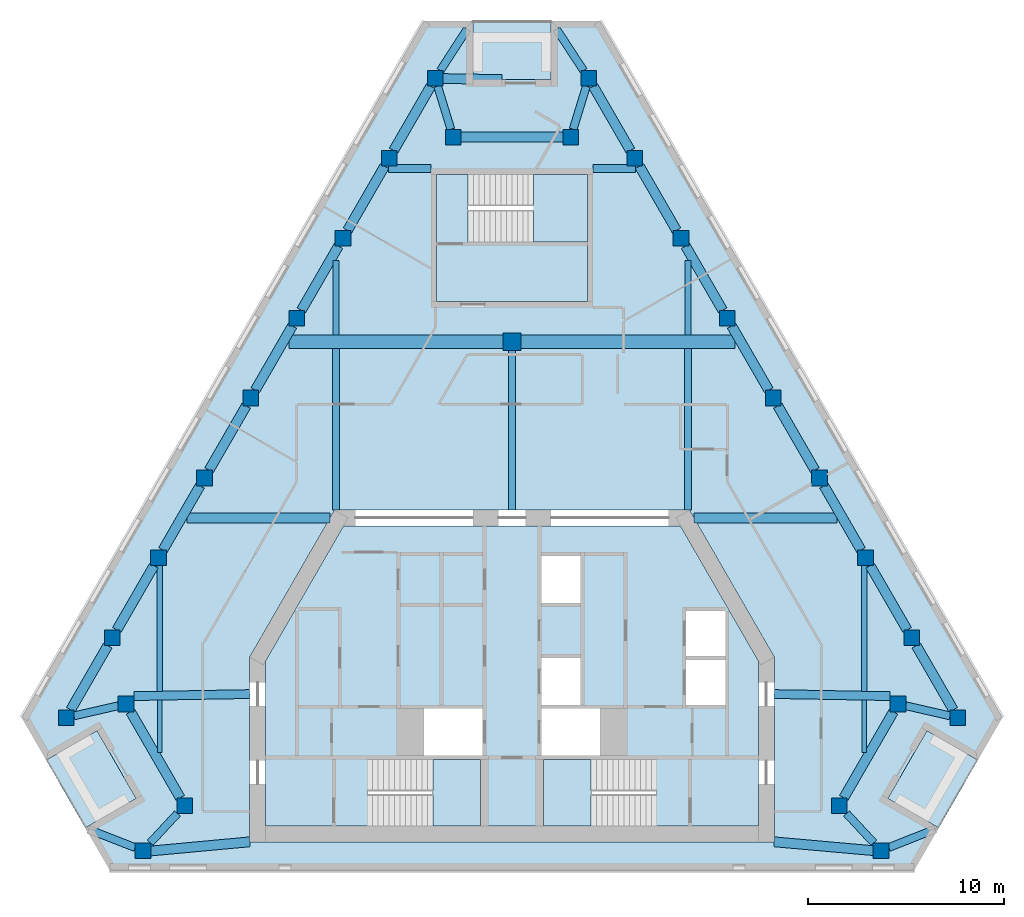
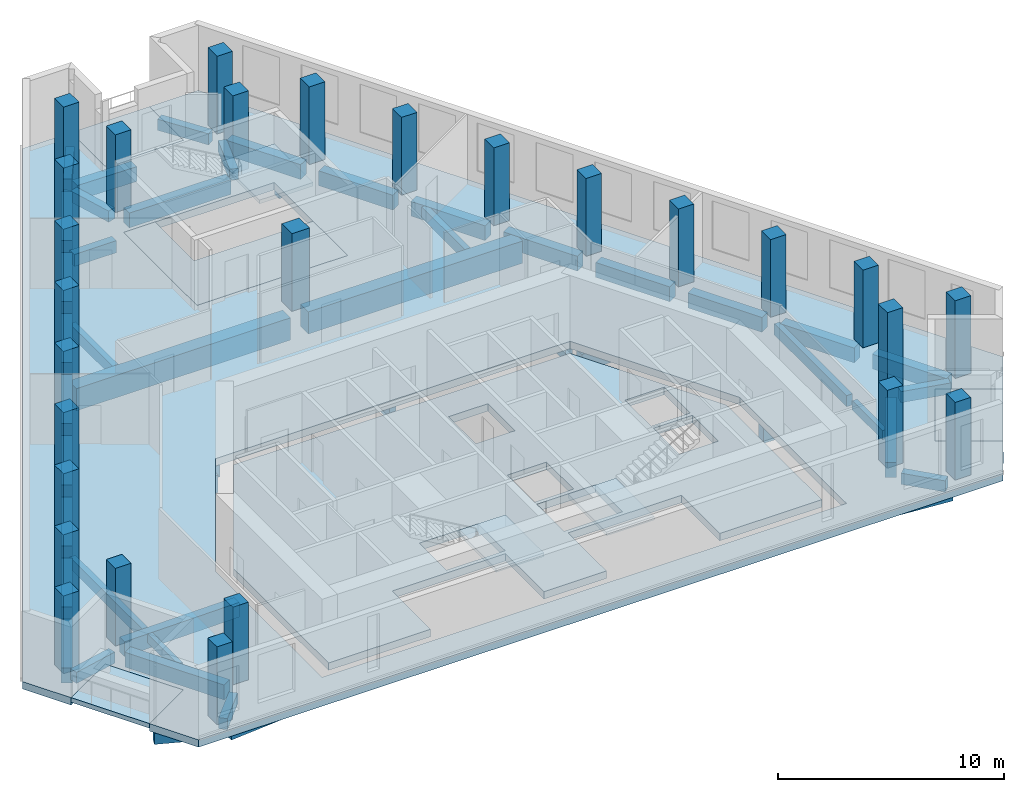
# One storey, part 1 of 8: 49 beams, 27 columns, 9 slabs, 3 elements without a shape of their own.
"""IFC4 building model written with IfcOpenShell, lengths in metres."""

from ifc_helpers import new_model, si_unit, direction, frame, origin, origin_2d, place, context, subcontext, project, spatial, polyline, rectangle, outline, extrude, material, layer, layer_set, material_profile, profile_set, type_object, element, aggregate, save


model = new_model("IFC4")

# Units and contexts
model_context = context("Model", 3, precision=1e-05, world=origin(), true_north=direction((0.0, 1.0)))
body_context = subcontext(model_context, "Body", "Model", "MODEL_VIEW")
ifc_project = project(units=[si_unit("LENGTHUNIT", "METRE"), si_unit("AREAUNIT", "SQUARE_METRE"), si_unit("VOLUMEUNIT", "CUBIC_METRE"), si_unit("PLANEANGLEUNIT", "RADIAN"), si_unit("MASSUNIT", "GRAM", prefix="KILO")], contexts=[model_context])

# Site, building, storey
site_placement = place(None, origin())
site = spatial("IfcSite", under=ifc_project, at=site_placement, CompositionType="ELEMENT")
building_placement = place(site_placement, origin())
building = spatial("IfcBuilding", under=site, at=building_placement, Name="Fogline Exchange Tower", CompositionType="ELEMENT")
storey_placement = place(building_placement, frame((0.0, 0.0, 296.10009765625)))
storey = spatial("IfcBuildingStorey", under=building, at=storey_placement, Name="L67", CompositionType="ELEMENT", Elevation=296.10009765625)

# Columns
ifc_material_1 = material(Name="Concrete C60", Category="concrete")
ifc_material_profile_1 = material_profile(ifc_material_1, rectangle(XDim=0.89990234375, YDim=0.89990234375, at=origin_2d()), Name="RC 900x900")
ifc_profile_set_1 = profile_set([ifc_material_profile_1], Name="Concrete C60")
column_type_1 = type_object("IfcColumnType", Name="C06", PredefinedType="COLUMN", material=ifc_profile_set_1)
column_placement = place(storey_placement, frame((0.0, 27.0, 0.0), z_axis=(0.0, 0.0, 1.0), x_axis=(1.0, 0.0, 0.0)))
element("IfcColumn", 1, at=column_placement, inside=storey, type_object=column_type_1, Name="IC-0-27", PredefinedType="COLUMN", context=body_context, shape_type="SweptSolid", body=[
    extrude(rectangle(XDim=0.89990234375, YDim=0.89990234375, at=origin_2d()), origin(), (0.0, 0.0, 1.0), 4.199951171875),
])
ifc_material_profile_2 = material_profile(ifc_material_1, rectangle(XDim=0.800048828125, YDim=0.800048828125, at=origin_2d()), Name="RC 800x800")
ifc_profile_set_2 = profile_set([ifc_material_profile_2], Name="Concrete C60")
column_type_2 = type_object("IfcColumnType", Name="C07", PredefinedType="COLUMN", material=ifc_profile_set_2)
for number, where, z_axis, x_axis, name in (
    (2, (-22.7802734375, 7.794189453125, 0.0), (0.0, 0.0, 1.0), (1.0, 0.0, 0.0), "SW-a"),
    (3, (-19.720947265625, 8.4951171875, 0.0), (0.0, 0.0, 1.0), (1.0, 0.0, 0.0), "SW-p4"),
    (4, (-16.720947265625, 3.299072265625, 0.0), (0.0, 0.0, 1.0), (1.0, 0.0, 0.0), "SW-p3"),
    (5, (-18.857666015625, 1.0, 0.0), (0.0, 0.0, 1.0), (1.0, 0.0, 0.0), "SW-b"),
    (6, (18.857666015625, 1.0, 0.0), (0.0, 0.0, 1.0), (1.0, 0.0, 0.0), "SE-a"),
    (7, (16.720947265625, 3.299072265625, 0.0), (0.0, 0.0, 1.0), (1.0, 0.0, 0.0), "SE-p4"),
    (8, (19.720947265625, 8.4951171875, 0.0), (0.0, 0.0, 1.0), (1.0, 0.0, 0.0), "SE-p3"),
    (9, (22.7802734375, 7.794189453125, 0.0), (0.0, 0.0, 1.0), (1.0, 0.0, 0.0), "SE-b"),
    (10, (20.423095703125, 11.876953125, 0.0), (0.0, 0.0, 1.0), (1.0, 0.0, 0.0), "E1"),
    (11, (18.06591796875, 15.959716796875, 0.0), (0.0, 0.0, 1.0), (1.0, 0.0, 0.0), "E2"),
    (12, (15.708740234375, 20.04248046875, 0.0), (0.0, 0.0, 1.0), (1.0, 0.0, 0.0), "E3"),
    (13, (13.3515625, 24.12548828125, 0.0), (0.0, 0.0, 1.0), (1.0, 0.0, 0.0), "E4"),
    (14, (10.994384765625, 28.208251953125, 0.0), (0.0, 0.0, 1.0), (1.0, 0.0, 0.0), "E5"),
    (15, (8.63720703125, 32.291015625, 0.0), (0.0, 0.0, 1.0), (1.0, 0.0, 0.0), "E6"),
    (16, (6.27978515625, 36.373779296875, 0.0), (0.0, 0.0, 1.0), (1.0, 0.0, 0.0), "E7"),
    (17, (3.922607421875, 40.456787109375, 0.0), (0.0, 0.0, 1.0), (1.0, 0.0, 0.0), "N-a"),
    (18, (3.0, 37.456787109375, 0.0), (0.0, 0.0, 1.0), (1.0, 0.0, 0.0), "N-p4"),
    (19, (-3.0, 37.456787109375, 0.0), (0.0, 0.0, 1.0), (1.0, 0.0, 0.0), "N-p3"),
    (20, (-3.922607421875, 40.456787109375, 0.0), (0.0, 0.0, 1.0), (1.0, 0.0, 0.0), "N-b"),
    (21, (-6.27978515625, 36.373779296875, 0.0), (0.0, 0.0, 1.0), (1.0, 0.0, 0.0), "W1"),
    (22, (-8.63720703125, 32.291015625, 0.0), (0.0, 0.0, 1.0), (1.0, 0.0, 0.0), "W2"),
    (23, (-10.994384765625, 28.208251953125, 0.0), (0.0, 0.0, 1.0), (1.0, 0.0, 0.0), "W3"),
    (24, (-13.3515625, 24.12548828125, 0.0), (0.0, 0.0, 1.0), (1.0, 0.0, 0.0), "W4"),
    (25, (-15.708740234375, 20.04248046875, 0.0), (0.0, 0.0, 1.0), (1.0, 0.0, 0.0), "W5"),
    (26, (-18.06591796875, 15.959716796875, 0.0), (0.0, 0.0, 1.0), (1.0, 0.0, 0.0), "W6"),
    (27, (-20.423095703125, 11.876953125, 0.0), (0.0, 0.0, 1.0), (1.0, 0.0, 0.0), "W7"),
):
    element("IfcColumn", number, at=place(storey_placement, frame(where, z_axis=z_axis, x_axis=x_axis)), inside=storey, type_object=column_type_2, Name=name, PredefinedType="COLUMN", context=body_context, shape_type="SweptSolid", body=[
        extrude(rectangle(XDim=0.800048828125, YDim=0.800048828125, at=origin_2d()), origin(), (0.0, 0.0, 1.0), 4.199951171875),
    ])

# Beams
ifc_material_2 = material(Name="Concrete C40", Category="concrete")
ifc_material_profile_3 = material_profile(ifc_material_2, rectangle(XDim=0.300048828125, YDim=0.60009765625, at=origin_2d()), Name="RC 300x600")
ifc_profile_set_3 = profile_set([ifc_material_profile_3], Name="Concrete C40")
beam_type_1 = type_object("IfcBeamType", Name="B06", PredefinedType="BEAM", material=ifc_profile_set_3)
beam_1_placement = place(storey_placement, frame((-18.0, 9.1435546875, -0.7001953125), z_axis=(0.0, 1.0, 0.0), x_axis=(-1.0, 0.0, 0.0)))
element("IfcBeam", 28, at=beam_1_placement, inside=storey, type_object=beam_type_1, Name="SB002", PredefinedType="BEAM", context=body_context, shape_type="SweptSolid", body=[
    extrude(rectangle(XDim=0.300048828125, YDim=0.60009765625, at=origin_2d()), origin(), (0.0, 0.0, 1.0), 6.416259765625),
])
for number, where, z_axis, x_axis, name in (
    (29, (-9.0, 27.35009765625, -0.7001953125), (0.0, 1.0, 0.0), (-1.0, 0.0, 0.0), "SB004"),
    (30, (9.0, 27.35009765625, -0.7001953125), (0.0, 1.0, 0.0), (-1.0, 0.0, 0.0), "SB007"),
):
    element("IfcBeam", number, at=place(storey_placement, frame(where, z_axis=z_axis, x_axis=x_axis)), inside=storey, type_object=beam_type_1, Name=name, PredefinedType="BEAM", context=body_context, shape_type="SweptSolid", body=[
        extrude(rectangle(XDim=0.300048828125, YDim=0.60009765625, at=origin_2d()), origin(), (0.0, 0.0, 1.0), 3.812255859375),
    ])
beam_2_placement = place(storey_placement, frame((18.0, 9.1435546875, -0.7001953125), z_axis=(0.0, 1.0, 0.0), x_axis=(-1.0, 0.0, 0.0)))
element("IfcBeam", 31, at=beam_2_placement, inside=storey, type_object=beam_type_1, Name="SB009", PredefinedType="BEAM", context=body_context, shape_type="SweptSolid", body=[
    extrude(rectangle(XDim=0.300048828125, YDim=0.60009765625, at=origin_2d()), origin(), (0.0, 0.0, 1.0), 6.416259765625),
])
ifc_material_profile_4 = material_profile(ifc_material_2, rectangle(XDim=0.25, YDim=0.5, at=origin_2d()), Name="RC 250x500")
ifc_profile_set_4 = profile_set([ifc_material_profile_4], Name="Concrete C40")
beam_type_2 = type_object("IfcBeamType", Name="B08", PredefinedType="BEAM", material=ifc_profile_set_4)
for number, where, z_axis, x_axis, name in (
    (32, (-18.0, 6.014404296875, -0.650146484375), (0.0, 1.0, 0.0), (-1.0, 0.0, 0.0), "SB001"),
    (33, (18.0, 6.014404296875, -0.650146484375), (0.0, 1.0, 0.0), (-1.0, 0.0, 0.0), "SB008"),
):
    element("IfcBeam", number, at=place(storey_placement, frame(where, z_axis=z_axis, x_axis=x_axis)), inside=storey, type_object=beam_type_2, Name=name, PredefinedType="BEAM", context=body_context, shape_type="SweptSolid", body=[
        extrude(rectangle(XDim=0.25, YDim=0.5, at=origin_2d()), origin(), (0.0, 0.0, 1.0), 2.67919921875),
    ])
ifc_material_profile_5 = material_profile(ifc_material_2, rectangle(XDim=0.5, YDim=0.800048828125, at=origin_2d()), Name="RC 500x800")
ifc_profile_set_5 = profile_set([ifc_material_profile_5], Name="Concrete C40")
beam_type_3 = type_object("IfcBeamType", Name="B10", PredefinedType="BEAM", material=ifc_profile_set_5)
beam_3_placement = place(storey_placement, frame((-19.489990234375, 8.09521484375, -0.800048828125), z_axis=(0.499987508774, -0.866032615477, 0.0), x_axis=(0.866032615477, 0.499987508774, 0.0)))
element("IfcBeam", 34, at=beam_3_placement, inside=storey, type_object=beam_type_3, Name="RB002", PredefinedType="BEAM", context=body_context, shape_type="SweptSolid", body=[
    extrude(rectangle(XDim=0.5, YDim=0.800048828125, at=origin_2d()), origin(), (0.0, 0.0, 1.0), 5.076416015625),
])
beam_4_placement = place(storey_placement, frame((-18.457763671875, 0.981689453125, -0.800048828125), z_axis=(0.995741736268, 0.092186737952, 0.0), x_axis=(-0.092186737952, 0.995741736268, 0.0)))
element("IfcBeam", 35, at=beam_4_placement, inside=storey, type_object=beam_type_3, Name="RB004", PredefinedType="BEAM", context=body_context, shape_type="SweptSolid", body=[
    extrude(rectangle(XDim=0.5, YDim=0.800048828125, at=origin_2d()), origin(), (0.0, 0.0, 1.0), 5.07958984375),
])
beam_5_placement = place(storey_placement, frame((13.39990234375, 1.449951171875, -0.800048828125), z_axis=(0.996066324908, -0.088610814153, 0.0), x_axis=(0.088610814153, 0.996066324908, 0.0)))
element("IfcBeam", 36, at=beam_5_placement, inside=storey, type_object=beam_type_3, Name="RB005", PredefinedType="BEAM", context=body_context, shape_type="SweptSolid", body=[
    extrude(rectangle(XDim=0.5, YDim=0.800048828125, at=origin_2d()), origin(), (0.0, 0.0, 1.0), 5.077880859375),
])
beam_6_placement = place(storey_placement, frame((16.951904296875, 3.698974609375, -0.800048828125), z_axis=(0.499987508774, 0.866032615477, 0.0), x_axis=(-0.866032615477, 0.499987508774, 0.0)))
element("IfcBeam", 37, at=beam_6_placement, inside=storey, type_object=beam_type_3, Name="RB007", PredefinedType="BEAM", context=body_context, shape_type="SweptSolid", body=[
    extrude(rectangle(XDim=0.5, YDim=0.800048828125, at=origin_2d()), origin(), (0.0, 0.0, 1.0), 5.076416015625),
])
beam_7_placement = place(storey_placement, frame((22.54931640625, 8.194091796875, -0.800048828125), z_axis=(-0.499969613651, 0.86604294664, 0.0), x_axis=(-0.86604294664, -0.499969613651, 0.0)))
element("IfcBeam", 38, at=beam_7_placement, inside=storey, type_object=beam_type_3, Name="RB009", PredefinedType="BEAM", context=body_context, shape_type="SweptSolid", body=[
    extrude(rectangle(XDim=0.5, YDim=0.800048828125, at=origin_2d()), origin(), (0.0, 0.0, 1.0), 3.790771484375),
])
for number, where, z_axis, x_axis, name in (
    (39, (20.192138671875, 12.277099609375, -0.800048828125), (-0.499997501644, 0.866026846206, 0.0), (-0.866026846206, -0.499997501644, 0.0), "RB010"),
    (40, (17.8349609375, 16.35986328125, -0.800048828125), (-0.499997501644, 0.866026846206, 0.0), (-0.866026846206, -0.499997501644, 0.0), "RB011"),
    (41, (15.477783203125, 20.442626953125, -0.800048828125), (-0.499997501644, 0.866026846206, 0.0), (-0.866026846206, -0.499997501644, 0.0), "RB012"),
):
    element("IfcBeam", number, at=place(storey_placement, frame(where, z_axis=z_axis, x_axis=x_axis)), inside=storey, type_object=beam_type_3, Name=name, PredefinedType="BEAM", context=body_context, shape_type="SweptSolid", body=[
        extrude(rectangle(XDim=0.5, YDim=0.800048828125, at=origin_2d()), origin(), (0.0, 0.0, 1.0), 3.79052734375),
    ])
for number, where, z_axis, x_axis, name in (
    (42, (13.12060546875, 24.525390625, -0.800048828125), (-0.500045805297, 0.865998956469, 0.0), (-0.865998956469, -0.500045805297, 0.0), "RB013"),
    (43, (10.76318359375, 28.608154296875, -0.800048828125), (-0.499969613651, 0.86604294664, 0.0), (-0.86604294664, -0.499969613651, 0.0), "RB014"),
    (44, (8.406005859375, 32.69091796875, -0.800048828125), (-0.499969613651, 0.86604294664, 0.0), (-0.86604294664, -0.499969613651, 0.0), "RB015"),
    (45, (6.048828125, 36.773681640625, -0.800048828125), (-0.499969613651, 0.86604294664, 0.0), (-0.86604294664, -0.499969613651, 0.0), "RB016"),
):
    element("IfcBeam", number, at=place(storey_placement, frame(where, z_axis=z_axis, x_axis=x_axis)), inside=storey, type_object=beam_type_3, Name=name, PredefinedType="BEAM", context=body_context, shape_type="SweptSolid", body=[
        extrude(rectangle(XDim=0.5, YDim=0.800048828125, at=origin_2d()), origin(), (0.0, 0.0, 1.0), 3.790771484375),
    ])
beam_8_placement = place(storey_placement, frame((2.60009765625, 37.456787109375, -0.800048828125), z_axis=(-1.0, 0.0, 0.0), x_axis=(0.0, -1.0, 0.0)))
element("IfcBeam", 46, at=beam_8_placement, inside=storey, type_object=beam_type_3, Name="RB018", PredefinedType="BEAM", context=body_context, shape_type="SweptSolid", body=[
    extrude(rectangle(XDim=0.5, YDim=0.800048828125, at=origin_2d()), origin(), (0.0, 0.0, 1.0), 5.2001953125),
])
for number, where, z_axis, x_axis, name in (
    (47, (-4.153564453125, 40.056640625, -0.800048828125), (-0.499969613651, -0.86604294664, 0.0), (0.86604294664, -0.499969613651, 0.0), "RB020"),
    (48, (-6.5107421875, 35.973876953125, -0.800048828125), (-0.499969613651, -0.86604294664, 0.0), (0.86604294664, -0.499969613651, 0.0), "RB021"),
    (49, (-8.867919921875, 31.89111328125, -0.800048828125), (-0.499969613651, -0.86604294664, 0.0), (0.86604294664, -0.499969613651, 0.0), "RB022"),
    (50, (-11.22509765625, 27.80810546875, -0.800048828125), (-0.500045805297, -0.865998956469, 0.0), (0.865998956469, -0.500045805297, 0.0), "RB023"),
):
    element("IfcBeam", number, at=place(storey_placement, frame(where, z_axis=z_axis, x_axis=x_axis)), inside=storey, type_object=beam_type_3, Name=name, PredefinedType="BEAM", context=body_context, shape_type="SweptSolid", body=[
        extrude(rectangle(XDim=0.5, YDim=0.800048828125, at=origin_2d()), origin(), (0.0, 0.0, 1.0), 3.790771484375),
    ])
for number, where, z_axis, x_axis, name in (
    (51, (-13.58251953125, 23.725341796875, -0.800048828125), (-0.499997501644, -0.866026846206, 0.0), (0.866026846206, -0.499997501644, 0.0), "RB024"),
    (52, (-15.939697265625, 19.642578125, -0.800048828125), (-0.499997501644, -0.866026846206, 0.0), (0.866026846206, -0.499997501644, 0.0), "RB025"),
    (53, (-18.296875, 15.559814453125, -0.800048828125), (-0.499997501644, -0.866026846206, 0.0), (0.866026846206, -0.499997501644, 0.0), "RB026"),
):
    element("IfcBeam", number, at=place(storey_placement, frame(where, z_axis=z_axis, x_axis=x_axis)), inside=storey, type_object=beam_type_3, Name=name, PredefinedType="BEAM", context=body_context, shape_type="SweptSolid", body=[
        extrude(rectangle(XDim=0.5, YDim=0.800048828125, at=origin_2d()), origin(), (0.0, 0.0, 1.0), 3.79052734375),
    ])
beam_9_placement = place(storey_placement, frame((-20.654052734375, 11.47705078125, -0.800048828125), z_axis=(-0.499969613651, -0.86604294664, 0.0), x_axis=(0.86604294664, -0.499969613651, 0.0)))
element("IfcBeam", 54, at=beam_9_placement, inside=storey, type_object=beam_type_3, Name="RB027", PredefinedType="BEAM", context=body_context, shape_type="SweptSolid", body=[
    extrude(rectangle(XDim=0.5, YDim=0.800048828125, at=origin_2d()), origin(), (0.0, 0.0, 1.0), 3.790771484375),
])
beam_10_placement = place(storey_placement, frame((-3.522705078125, 40.449951171875, -0.800048828125), z_axis=(0.999861680238, -0.016631908832, 0.0), x_axis=(0.016631908832, 0.999861680238, 0.0)))
element("IfcBeam", 55, at=beam_10_placement, inside=storey, type_object=beam_type_3, Name="SP032", PredefinedType="BEAM", context=body_context, shape_type="SweptSolid", body=[
    extrude(rectangle(XDim=0.5, YDim=0.800048828125, at=origin_2d()), origin(), (0.0, 0.0, 1.0), 3.00927734375),
])
ifc_material_profile_6 = material_profile(ifc_material_2, rectangle(XDim=0.39990234375, YDim=0.60009765625, at=origin_2d()), Name="RC 400x600")
ifc_profile_set_6 = profile_set([ifc_material_profile_6], Name="Concrete C40")
beam_type_4 = type_object("IfcBeamType", Name="B11", PredefinedType="BEAM", material=ifc_profile_set_6)
beam_11_placement = place(storey_placement, frame((-22.38037109375, 7.885986328125, -0.7001953125), z_axis=(0.974753812703, 0.223282342834, 0.0), x_axis=(-0.223282342834, 0.974753812703, 0.0)))
element("IfcBeam", 56, at=beam_11_placement, inside=storey, type_object=beam_type_4, Name="RB001", PredefinedType="BEAM", context=body_context, shape_type="SweptSolid", body=[
    extrude(rectangle(XDim=0.39990234375, YDim=0.60009765625, at=origin_2d()), origin(), (0.0, 0.0, 1.0), 2.318115234375),
])
for number, where, z_axis, x_axis, name in (
    (57, (-17.0927734375, 2.89892578125, -0.7001953125), (-0.680743909802, -0.732521487239, 0.0), (0.732521487239, -0.680743909802, 0.0), "RB003"),
    (58, (18.48583984375, 1.39990234375, -0.7001953125), (-0.680743909802, 0.732521487239, 0.0), (-0.732521487239, -0.680743909802, 0.0), "RB006"),
):
    element("IfcBeam", number, at=place(storey_placement, frame(where, z_axis=z_axis, x_axis=x_axis)), inside=storey, type_object=beam_type_4, Name=name, PredefinedType="BEAM", context=body_context, shape_type="SweptSolid", body=[
        extrude(rectangle(XDim=0.39990234375, YDim=0.60009765625, at=origin_2d()), origin(), (0.0, 0.0, 1.0), 2.04638671875),
    ])
beam_12_placement = place(storey_placement, frame((20.120849609375, 8.403564453125, -0.7001953125), z_axis=(0.974753812703, -0.223282342834, 0.0), x_axis=(0.223282342834, 0.974753812703, 0.0)))
element("IfcBeam", 59, at=beam_12_placement, inside=storey, type_object=beam_type_4, Name="RB008", PredefinedType="BEAM", context=body_context, shape_type="SweptSolid", body=[
    extrude(rectangle(XDim=0.39990234375, YDim=0.60009765625, at=origin_2d()), origin(), (0.0, 0.0, 1.0), 2.318115234375),
])
for number, where, z_axis, x_axis, name in (
    (60, (3.799560546875, 40.056640625, -0.7001953125), (-0.293929314998, -0.955827158949, 0.0), (0.955827158949, -0.293929314998, 0.0), "RB017"),
    (61, (-3.123046875, 37.856689453125, -0.7001953125), (-0.293929314998, 0.955827158949, 0.0), (-0.955827158949, -0.293929314998, 0.0), "RB019"),
):
    element("IfcBeam", number, at=place(storey_placement, frame(where, z_axis=z_axis, x_axis=x_axis)), inside=storey, type_object=beam_type_4, Name=name, PredefinedType="BEAM", context=body_context, shape_type="SweptSolid", body=[
        extrude(rectangle(XDim=0.39990234375, YDim=0.60009765625, at=origin_2d()), origin(), (0.0, 0.0, 1.0), 2.301513671875),
    ])
beam_13_placement = place(storey_placement, frame((3.66015625, 40.856689453125, -0.7001953125), z_axis=(-0.548529780457, 0.836131018413, 0.0), x_axis=(-0.836131018413, -0.548529780457, 0.0)))
element("IfcBeam", 62, at=beam_13_placement, inside=storey, type_object=beam_type_4, Name="SP028", PredefinedType="BEAM", context=body_context, shape_type="SweptSolid", body=[
    extrude(rectangle(XDim=0.39990234375, YDim=0.60009765625, at=origin_2d()), origin(), (0.0, 0.0, 1.0), 2.5263671875),
])
beam_14_placement = place(storey_placement, frame((-3.663818359375, 40.856689453125, -0.7001953125), z_axis=(0.543311543081, 0.839531159133, 0.0), x_axis=(-0.839531159133, 0.543311543081, 0.0)))
element("IfcBeam", 63, at=beam_14_placement, inside=storey, type_object=beam_type_4, Name="SP029", PredefinedType="BEAM", context=body_context, shape_type="SweptSolid", body=[
    extrude(rectangle(XDim=0.39990234375, YDim=0.60009765625, at=origin_2d()), origin(), (0.0, 0.0, 1.0), 2.51953125),
])
beam_15_placement = place(storey_placement, frame((19.2578125, 1.15869140625, -0.7001953125), z_axis=(0.929422622567, 0.369017057412, 0.0), x_axis=(-0.369017057412, 0.929422622567, 0.0)))
element("IfcBeam", 64, at=beam_15_placement, inside=storey, type_object=beam_type_4, Name="SP030", PredefinedType="BEAM", context=body_context, shape_type="SweptSolid", body=[
    extrude(rectangle(XDim=0.39990234375, YDim=0.60009765625, at=origin_2d()), origin(), (0.0, 0.0, 1.0), 2.537109375),
])
beam_16_placement = place(storey_placement, frame((-19.2578125, 1.156005859375, -0.7001953125), z_axis=(-0.931526239158, 0.363674120279, 0.0), x_axis=(-0.363674120279, -0.931526239158, 0.0)))
element("IfcBeam", 65, at=beam_16_placement, inside=storey, type_object=beam_type_4, Name="SP031", PredefinedType="BEAM", context=body_context, shape_type="SweptSolid", body=[
    extrude(rectangle(XDim=0.39990234375, YDim=0.60009765625, at=origin_2d()), origin(), (0.0, 0.0, 1.0), 2.5517578125),
])
ifc_material_profile_7 = material_profile(ifc_material_2, rectangle(XDim=0.39990234375, YDim=0.64990234375, at=origin_2d()), Name="RC 400x650")
ifc_profile_set_7 = profile_set([ifc_material_profile_7], Name="Concrete C40")
beam_type_5 = type_object("IfcBeamType", Name="B13", PredefinedType="BEAM", material=ifc_profile_set_7)
for number, where, z_axis, x_axis, name in (
    (66, (-6.308349609375, 35.85693359375, -0.72509765625), (1.0, 0.0, 0.0), (0.0, 1.0, 0.0), "GB007"),
    (67, (4.14990234375, 35.85693359375, -0.72509765625), (1.0, 0.0, 0.0), (0.0, 1.0, 0.0), "GB008"),
):
    element("IfcBeam", number, at=place(storey_placement, frame(where, z_axis=z_axis, x_axis=x_axis)), inside=storey, type_object=beam_type_5, Name=name, PredefinedType="BEAM", context=body_context, shape_type="SweptSolid", body=[
        extrude(rectangle(XDim=0.39990234375, YDim=0.64990234375, at=origin_2d()), origin(), (0.0, 0.0, 1.0), 2.158447265625),
    ])
ifc_material_profile_8 = material_profile(ifc_material_2, rectangle(XDim=0.5, YDim=0.949951171875, at=origin_2d()), Name="RC 500x950")
ifc_profile_set_8 = profile_set([ifc_material_profile_8], Name="Concrete C40")
beam_type_6 = type_object("IfcBeamType", Name="B14", PredefinedType="BEAM", material=ifc_profile_set_8)
for number, where, z_axis, x_axis, name in (
    (68, (-16.599365234375, 18.0, -0.875), (1.0, 0.0, 0.0), (0.0, 1.0, 0.0), "GB003"),
    (69, (9.296142578125, 18.0, -0.875), (1.0, 0.0, 0.0), (0.0, 1.0, 0.0), "GB004"),
):
    element("IfcBeam", number, at=place(storey_placement, frame(where, z_axis=z_axis, x_axis=x_axis)), inside=storey, type_object=beam_type_6, Name=name, PredefinedType="BEAM", context=body_context, shape_type="SweptSolid", body=[
        extrude(rectangle(XDim=0.5, YDim=0.949951171875, at=origin_2d()), origin(), (0.0, 0.0, 1.0), 7.30322265625),
    ])
ifc_material_profile_9 = material_profile(ifc_material_2, rectangle(XDim=0.35009765625, YDim=0.64990234375, at=origin_2d()), Name="RC 350x650")
ifc_profile_set_9 = profile_set([ifc_material_profile_9], Name="Concrete C40")
beam_type_7 = type_object("IfcBeamType", Name="B16", PredefinedType="BEAM", material=ifc_profile_set_9)
beam_17_placement = place(storey_placement, frame((-9.0, 18.39990234375, -0.72509765625), z_axis=(0.0, 1.0, 0.0), x_axis=(-1.0, 0.0, 0.0)))
element("IfcBeam", 70, at=beam_17_placement, inside=storey, type_object=beam_type_7, Name="SB003", PredefinedType="BEAM", context=body_context, shape_type="SweptSolid", body=[
    extrude(rectangle(XDim=0.35009765625, YDim=0.64990234375, at=origin_2d()), origin(), (0.0, 0.0, 1.0), 8.25),
])
beam_18_placement = place(storey_placement, frame((0.0, 18.39990234375, -0.72509765625), z_axis=(0.0, 1.0, 0.0), x_axis=(-1.0, 0.0, 0.0)))
element("IfcBeam", 71, at=beam_18_placement, inside=storey, type_object=beam_type_7, Name="SB005", PredefinedType="BEAM", context=body_context, shape_type="SweptSolid", body=[
    extrude(rectangle(XDim=0.35009765625, YDim=0.64990234375, at=origin_2d()), origin(), (0.0, 0.0, 1.0), 8.150146484375),
])
beam_19_placement = place(storey_placement, frame((9.0, 18.39990234375, -0.72509765625), z_axis=(0.0, 1.0, 0.0), x_axis=(-1.0, 0.0, 0.0)))
element("IfcBeam", 72, at=beam_19_placement, inside=storey, type_object=beam_type_7, Name="SB006", PredefinedType="BEAM", context=body_context, shape_type="SweptSolid", body=[
    extrude(rectangle(XDim=0.35009765625, YDim=0.64990234375, at=origin_2d()), origin(), (0.0, 0.0, 1.0), 8.25),
])
ifc_material_profile_10 = material_profile(ifc_material_2, rectangle(XDim=0.699951171875, YDim=1.199951171875, at=origin_2d()), Name="RC 700x1200")
ifc_profile_set_10 = profile_set([ifc_material_profile_10], Name="Concrete C40")
beam_type_8 = type_object("IfcBeamType", Name="B17", PredefinedType="BEAM", material=ifc_profile_set_10)
for number, where, z_axis, x_axis, name in (
    (73, (-11.4033203125, 27.0, -1.0), (1.0, 0.0, 0.0), (0.0, 1.0, 0.0), "GB005"),
    (74, (0.449951171875, 27.0, -1.0), (1.0, 0.0, 0.0), (0.0, 1.0, 0.0), "GB006"),
):
    element("IfcBeam", number, at=place(storey_placement, frame(where, z_axis=z_axis, x_axis=x_axis)), inside=storey, type_object=beam_type_8, Name=name, PredefinedType="BEAM", context=body_context, shape_type="SweptSolid", body=[
        extrude(rectangle(XDim=0.699951171875, YDim=1.199951171875, at=origin_2d()), origin(), (0.0, 0.0, 1.0), 10.953369140625),
    ])
ifc_material_profile_11 = material_profile(ifc_material_2, rectangle(XDim=0.449951171875, YDim=0.800048828125, at=origin_2d()), Name="RC 450x800")
ifc_profile_set_11 = profile_set([ifc_material_profile_11], Name="Concrete C40")
beam_type_9 = type_object("IfcBeamType", Name="B18", PredefinedType="BEAM", material=ifc_profile_set_11)
for number, where, z_axis, x_axis, name in (
    (75, (-19.32080078125, 8.895263671875, -0.800048828125), (0.9998435817, 0.017686495817, 0.0), (-0.017686495817, 0.9998435817, 0.0), "GB001"),
    (76, (13.39990234375, 9.0, -0.800048828125), (0.9998435817, -0.017686495817, 0.0), (0.017686495817, 0.9998435817, 0.0), "GB002"),
):
    element("IfcBeam", number, at=place(storey_placement, frame(where, z_axis=z_axis, x_axis=x_axis)), inside=storey, type_object=beam_type_9, Name=name, PredefinedType="BEAM", context=body_context, shape_type="SweptSolid", body=[
        extrude(rectangle(XDim=0.449951171875, YDim=0.800048828125, at=origin_2d()), origin(), (0.0, 0.0, 1.0), 5.921875),
    ])

# Slabs
ifc_layer_1 = layer(ifc_material_2, 0.25)
ifc_layer_set_1 = layer_set([ifc_layer_1], Name="DK1")
slab_type_1 = type_object("IfcSlabType", Name="DK1", PredefinedType="FLOOR", material=ifc_layer_set_1)
slab_1_placement = place(storey_placement, frame((0.0, 0.0, -0.25)))
element("IfcSlab", 77, at=slab_1_placement, inside=storey, type_object=slab_type_1, Name="Balcony L67 SW", PredefinedType="FLOOR", context=body_context, shape_type="SweptSolid", body=[
    extrude(outline(polyline([(-23.80224609375, 5.629150390625), (-21.80224609375, 2.1650390625), (-19.2041015625, 3.6650390625), (-21.2041015625, 7.129150390625), (-23.80224609375, 5.629150390625)])), origin(), (0.0, 0.0, 1.0), 0.25),
])
slab_2_placement = place(storey_placement, frame((0.0, 0.0, -0.25)))
element("IfcSlab", 78, at=slab_2_placement, inside=storey, type_object=slab_type_1, Name="Balcony L67 SE", PredefinedType="FLOOR", context=body_context, shape_type="SweptSolid", body=[
    extrude(outline(polyline([(21.80224609375, 2.1650390625), (23.80224609375, 5.629150390625), (21.2041015625, 7.129150390625), (19.2041015625, 3.6650390625), (21.80224609375, 2.1650390625)])), origin(), (0.0, 0.0, 1.0), 0.25),
])
slab_3_placement = place(storey_placement, frame((0.0, 0.0, -0.25)))
element("IfcSlab", 79, at=slab_3_placement, inside=storey, type_object=slab_type_1, Name="Balcony L67 N", PredefinedType="FLOOR", context=body_context, shape_type="SweptSolid", body=[
    extrude(outline(polyline([(2.0, 43.3916015625), (-2.0, 43.3916015625), (-2.0, 40.3916015625), (2.0, 40.3916015625), (2.0, 43.3916015625)])), origin(), (0.0, 0.0, 1.0), 0.25),
])
ifc_layer_2 = layer(ifc_material_2, 0.39990234375)
ifc_layer_set_2 = layer_set([ifc_layer_2], Name="S03")
slab_type_2 = type_object("IfcSlabType", Name="S03", PredefinedType="FLOOR", material=ifc_layer_set_2)
slab_4_placement = place(storey_placement, frame((0.0, 0.0, -0.400146484375)))
element("IfcSlab", 80, at=slab_4_placement, inside=storey, type_object=slab_type_2, Name="SLAB L67", PredefinedType="FLOOR", context=body_context, shape_type="SweptSolid", body=[
    extrude(outline(polyline([(-2.0, 43.3916015625), (-4.5, 43.3916015625), (-25.05224609375, 7.794189453125), (-23.80224609375, 5.629150390625), (-21.2041015625, 7.129150390625), (-19.2041015625, 3.6650390625), (-21.80224609375, 2.1650390625), (-20.55224609375, 0.0), (20.55224609375, 0.0), (21.80224609375, 2.1650390625), (19.2041015625, 3.6650390625), (21.2041015625, 7.129150390625), (23.80224609375, 5.629150390625), (25.05224609375, 7.794189453125), (4.5, 43.3916015625), (2.0, 43.3916015625), (2.0, 40.3916015625), (-2.0, 40.3916015625), (-2.0, 43.3916015625)]), holes=[polyline([(13.39990234375, 10.891845703125), (13.39990234375, 1.449951171875), (-13.39990234375, 1.449951171875), (-13.39990234375, 10.891845703125), (-9.065185546875, 18.39990234375), (9.065185546875, 18.39990234375), (13.39990234375, 10.891845703125)]), polyline([(3.85009765625, 35.556884765625), (3.85009765625, 29.056884765625), (-3.85009765625, 29.056884765625), (-3.85009765625, 35.556884765625), (3.85009765625, 35.556884765625)])]), origin(), (0.0, 0.0, 1.0), 0.400146484375),
])
slab_5_placement = place(storey_placement, frame((0.0, 0.0, -0.400146484375)))
element("IfcSlab", 81, at=slab_5_placement, inside=storey, type_object=slab_type_2, Name="Core floor slab", PredefinedType="FLOOR", context=body_context, shape_type="SweptSolid", body=[
    extrude(outline(polyline([(-12.60009765625, 2.25), (-12.60009765625, 10.677490234375), (-8.603271484375, 17.60009765625), (8.603271484375, 17.60009765625), (12.60009765625, 10.677490234375), (12.60009765625, 2.25), (7.389892578125, 2.25), (7.389892578125, 5.64990234375), (1.60009765625, 5.64990234375), (1.60009765625, 2.25), (-1.60009765625, 2.25), (-1.60009765625, 5.64990234375), (-7.389892578125, 5.64990234375), (-7.389892578125, 2.25), (-12.60009765625, 2.25)]), holes=[polyline([(-4.5, 8.25), (-4.5, 5.85009765625), (-1.5, 5.85009765625), (-1.5, 8.25), (-4.5, 8.25)]), polyline([(1.5, 8.25), (1.5, 5.85009765625), (4.5, 5.85009765625), (4.5, 8.25), (1.5, 8.25)]), polyline([(8.89990234375, 10.75), (8.89990234375, 8.449951171875), (10.89990234375, 8.449951171875), (10.89990234375, 10.75), (8.89990234375, 10.75)]), polyline([(1.5, 10.85009765625), (1.5, 8.449951171875), (3.5, 8.449951171875), (3.5, 10.85009765625), (1.5, 10.85009765625)]), polyline([(8.89990234375, 13.25), (8.89990234375, 10.949951171875), (10.89990234375, 10.949951171875), (10.89990234375, 13.25), (8.89990234375, 13.25)]), polyline([(1.5, 16.050048828125), (1.5, 13.64990234375), (3.5, 13.64990234375), (3.5, 16.050048828125), (1.5, 16.050048828125)])]), origin(), (0.0, 0.0, 1.0), 0.400146484375),
])
slab_6_placement = place(storey_placement, frame((0.0, 0.0, -0.400146484375)))
element("IfcSlab", 82, at=slab_6_placement, inside=storey, type_object=slab_type_2, Name="Stair enclosure floor slab", PredefinedType="FLOOR", context=body_context, shape_type="SweptSolid", body=[
    extrude(outline(polyline([(3.85009765625, 29.056884765625), (-3.85009765625, 29.056884765625), (-3.85009765625, 35.556884765625), (-2.239990234375, 35.556884765625), (-2.239990234375, 32.10693359375), (3.85009765625, 32.10693359375), (3.85009765625, 29.056884765625)])), origin(), (0.0, 0.0, 1.0), 0.400146484375),
])

# Stair, slab
stair_type = type_object("IfcStairType", Name="STR26-1615", PredefinedType="HALF_TURN_STAIR", material=ifc_material_2)
stair_1_placement = place(storey_placement, origin())
stair_1 = element("IfcStair", 83, at=stair_1_placement, inside=storey, type_object=stair_type, Name="Stair ST1", PredefinedType="HALF_TURN_STAIR")
ifc_layer_3 = layer(ifc_material_2, 0.199951171875)
ifc_layer_set_3 = layer_set([ifc_layer_3], Name="SL200")
slab_type_3 = type_object("IfcSlabType", Name="SL200", PredefinedType="LANDING", material=ifc_layer_set_3)
slab_7_placement = place(storey_placement, frame((0.0, 0.0, 1.89990234375)))
slab_7 = element("IfcSlab", 84, at=slab_7_placement, type_object=slab_type_3, Name="ST1 landing 1", PredefinedType="LANDING", context=body_context, shape_type="SweptSolid", body=[
    extrude(outline(polyline([(-4.0400390625, 2.25), (-1.60009765625, 2.25), (-1.60009765625, 5.64990234375), (-4.0400390625, 5.64990234375), (-4.0400390625, 2.25)])), origin(), (0.0, 0.0, 1.0), 0.199951171875),
])
aggregate(stair_1, [slab_7])

stair_2_placement = place(storey_placement, origin())
stair_2 = element("IfcStair", 85, at=stair_2_placement, inside=storey, type_object=stair_type, Name="Stair ST2", PredefinedType="HALF_TURN_STAIR")
slab_8_placement = place(storey_placement, frame((0.0, 0.0, 1.89990234375)))
slab_8 = element("IfcSlab", 86, at=slab_8_placement, type_object=slab_type_3, Name="ST2 landing 1", PredefinedType="LANDING", context=body_context, shape_type="SweptSolid", body=[
    extrude(outline(polyline([(1.60009765625, 2.25), (4.0400390625, 2.25), (4.0400390625, 5.64990234375), (1.60009765625, 5.64990234375), (1.60009765625, 2.25)])), origin(), (0.0, 0.0, 1.0), 0.199951171875),
])
aggregate(stair_2, [slab_8])

stair_3_placement = place(storey_placement, origin())
stair_3 = element("IfcStair", 87, at=stair_3_placement, inside=storey, type_object=stair_type, Name="Stair ST3", PredefinedType="HALF_TURN_STAIR")
slab_9_placement = place(storey_placement, frame((0.0, 0.0, 1.89990234375)))
slab_9 = element("IfcSlab", 88, at=slab_9_placement, type_object=slab_type_3, Name="ST3 landing 1", PredefinedType="LANDING", context=body_context, shape_type="SweptSolid", body=[
    extrude(outline(polyline([(1.110107421875, 32.10693359375), (3.85009765625, 32.10693359375), (3.85009765625, 35.556884765625), (1.110107421875, 35.556884765625), (1.110107421875, 32.10693359375)])), origin(), (0.0, 0.0, 1.0), 0.199951171875),
])
aggregate(stair_3, [slab_9])

save(model, "model.ifc")
